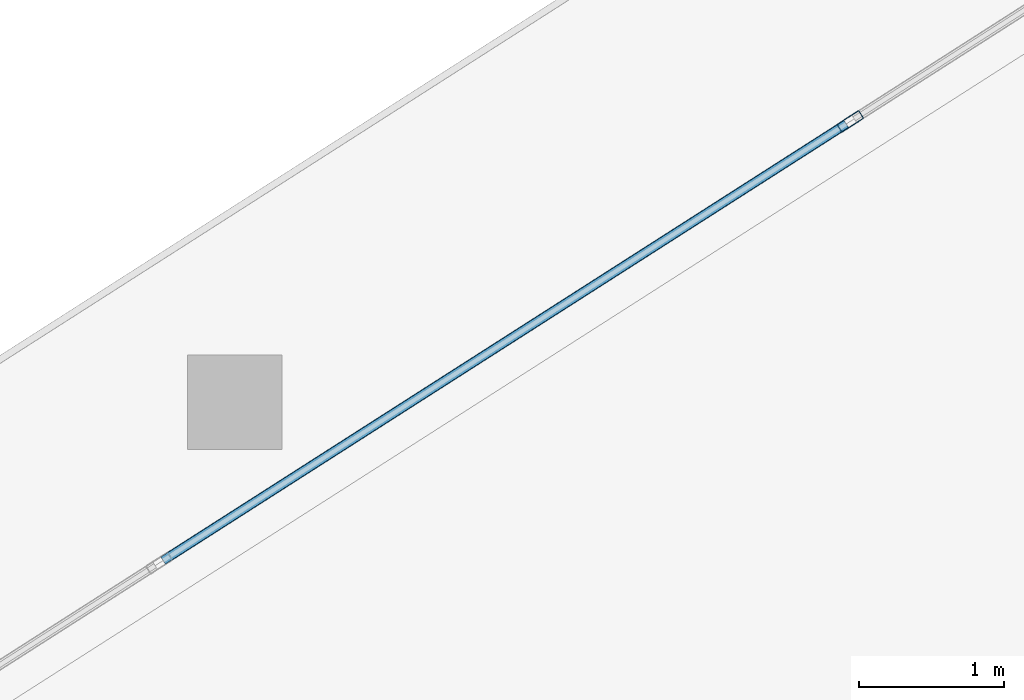
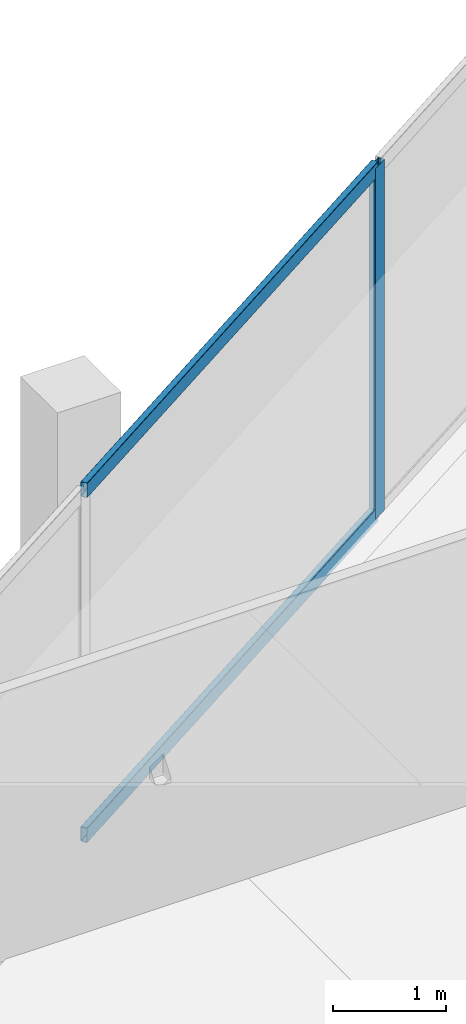
# One storey, part 15 of 36: 3 members, 1 element without a shape of its own.
"""IFC4 building model written with IfcOpenShell, lengths in metres."""

from ifc_helpers import new_model, si_unit, direction, frame, origin, origin_2d, place, context, subcontext, project, spatial, hollow_rectangle, extrude, material, layer, layer_set, material_profile, profile_set, type_object, element, aggregate, save


model = new_model("IFC4")

# Units and contexts
model_context = context("Model", 3, precision=1e-05, world=origin(), true_north=direction((0.0, 1.0)))
body_context = subcontext(model_context, "Body", "Model", "MODEL_VIEW")
ifc_project = project(units=[si_unit("LENGTHUNIT", "METRE"), si_unit("AREAUNIT", "SQUARE_METRE"), si_unit("VOLUMEUNIT", "CUBIC_METRE"), si_unit("PLANEANGLEUNIT", "RADIAN"), si_unit("MASSUNIT", "GRAM", prefix="KILO")], contexts=[model_context])

# Site, building, storey
site_placement = place(None, origin())
site = spatial("IfcSite", under=ifc_project, at=site_placement, CompositionType="ELEMENT")
building_placement = place(site_placement, origin())
building = spatial("IfcBuilding", under=site, at=building_placement, Name="Qorvath Tower", CompositionType="ELEMENT")
storey_placement = place(building_placement, frame((0.0, 0.0, 205.050048828125)))
storey = spatial("IfcBuildingStorey", under=building, at=storey_placement, Name="L47", CompositionType="ELEMENT", Elevation=205.050048828125)

# Curtain wall, members
ifc_material_1 = material(Name="Anodised aluminium and triple low-E glass", Category="aluminium")
ifc_layer = layer(ifc_material_1, 0.179931640625)
ifc_layer_set = layer_set([ifc_layer], Name="CW-SYS-3")
curtain_wall_type = type_object("IfcCurtainWallType", Name="CW-SYS-3", PredefinedType="NOTDEFINED", material=ifc_layer_set)
curtain_wall_placement = place(storey_placement, origin())
curtain_wall = element("IfcCurtainWall", 1, at=curtain_wall_placement, inside=storey, type_object=curtain_wall_type, Name="Curtain Wall CW-3 CW-T-L47-16.1", PredefinedType="NOTDEFINED")
ifc_material_2 = material(Name="Anodised aluminium 6063-T6", Category="aluminium")
ifc_material_profile_1 = material_profile(ifc_material_2, hollow_rectangle(XDim=0.06494140625, YDim=0.179931640625, WallThickness=0.00341796875, InnerFilletRadius=0.00341796875, OuterFilletRadius=0.007080078125, at=origin_2d()), Name="CWM 180x65")
ifc_profile_set_1 = profile_set([ifc_material_profile_1], Name="Anodised aluminium 6063-T6")
member_type_1 = type_object("IfcMemberType", Name="CWM-180", PredefinedType="MULLION", material=ifc_profile_set_1)
member_1_placement = place(storey_placement, frame((-40.50537109375, 12.583740234375, 0.0), z_axis=(0.0, 0.0, 1.0), x_axis=(0.538533623725, -0.842604020948, 0.0)))
member_1 = element("IfcMember", 2, at=member_1_placement, type_object=member_type_1, Name="CW-3 mullion 6", PredefinedType="MULLION", context=body_context, shape_type="SweptSolid", body=[
    extrude(hollow_rectangle(XDim=0.06494140625, YDim=0.179931640625, WallThickness=0.00341796875, InnerFilletRadius=0.00341796875, OuterFilletRadius=0.007080078125, at=origin_2d()), origin(), (0.0, 0.0, 1.0), 3.780029296875),
])
ifc_material_3 = material(Name="Anodised aluminium 6063-T6", Category="aluminium")
ifc_material_profile_2 = material_profile(ifc_material_3, hollow_rectangle(XDim=0.06494140625, YDim=0.159912109375, WallThickness=0.00341796875, InnerFilletRadius=0.00341796875, OuterFilletRadius=0.007080078125, at=origin_2d()), Name="CWT 160x65")
ifc_profile_set_2 = profile_set([ifc_material_profile_2], Name="Anodised aluminium 6063-T6")
member_type_2 = type_object("IfcMemberType", Name="CWT-160", PredefinedType="USERDEFINED", material=ifc_profile_set_2)
member_2_placement = place(storey_placement, frame((-40.53271484375, 12.566162109375, 0.032470703125), z_axis=(-0.842606844645, -0.538529205667, 0.0), x_axis=(0.538529205667, -0.842606844645, 0.0)))
member_2 = element("IfcMember", 3, at=member_2_placement, type_object=member_type_2, Name="CW-3 transom 6.1", ObjectType="TRANSOM", PredefinedType="USERDEFINED", context=body_context, shape_type="SweptSolid", body=[
    extrude(hollow_rectangle(XDim=0.06494140625, YDim=0.159912109375, WallThickness=0.00341796875, InnerFilletRadius=0.00341796875, OuterFilletRadius=0.007080078125, at=origin_2d()), origin(), (0.0, 0.0, 1.0), 5.5751953125),
])
member_3_placement = place(storey_placement, frame((-40.53271484375, 12.566162109375, 3.74755859375), z_axis=(-0.842606844645, -0.538529205667, 0.0), x_axis=(0.538529205667, -0.842606844645, 0.0)))
member_3 = element("IfcMember", 4, at=member_3_placement, type_object=member_type_2, Name="CW-3 transom 6.2", ObjectType="TRANSOM", PredefinedType="USERDEFINED", context=body_context, shape_type="SweptSolid", body=[
    extrude(hollow_rectangle(XDim=0.06494140625, YDim=0.159912109375, WallThickness=0.00341796875, InnerFilletRadius=0.00341796875, OuterFilletRadius=0.007080078125, at=origin_2d()), origin(), (0.0, 0.0, 1.0), 5.5751953125),
])
aggregate(curtain_wall, [member_1, member_2, member_3])

save(model, "model.ifc")
